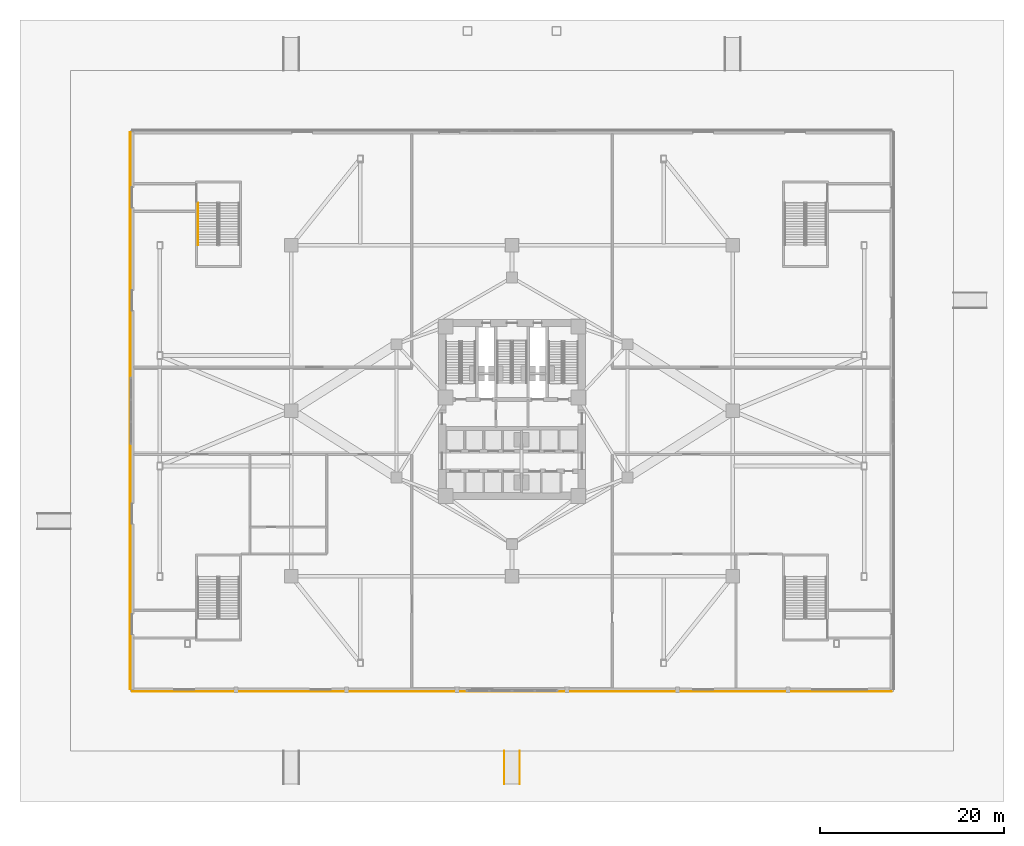
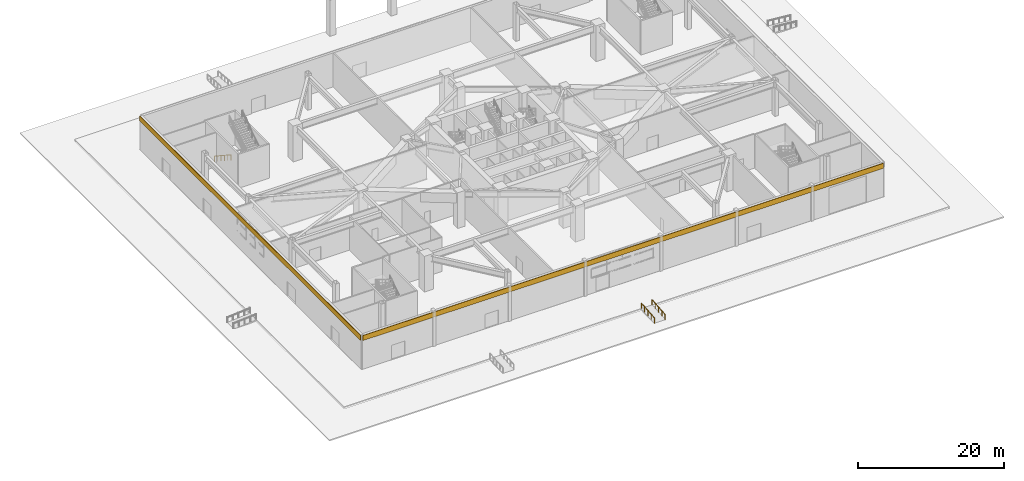
# One storey, part 16 of 24: 3 railings, 2 coverings.
"""IFC4 building model written with IfcOpenShell, lengths in metres."""

from ifc_helpers import new_model, si_unit, direction, frame, origin, origin_2d, place, context, subcontext, project, spatial, polyline, rectangle, outline, extrude, material, layer, layer_set, type_object, element, save


model = new_model("IFC4")

# Units and contexts
model_context = context("Model", 3, precision=1e-05, world=origin(), true_north=direction((0.0, 1.0)))
body_context = subcontext(model_context, "Body", "Model", "MODEL_VIEW")
ifc_project = project(units=[si_unit("LENGTHUNIT", "METRE"), si_unit("AREAUNIT", "SQUARE_METRE"), si_unit("VOLUMEUNIT", "CUBIC_METRE"), si_unit("PLANEANGLEUNIT", "RADIAN"), si_unit("MASSUNIT", "GRAM", prefix="KILO")], contexts=[model_context])

# Site, building, storey
site_placement = place(None, origin())
site = spatial("IfcSite", under=ifc_project, at=site_placement, CompositionType="ELEMENT")
building_placement = place(site_placement, origin())
building = spatial("IfcBuilding", under=site, at=building_placement, Name="Apsidion Concourse Tower", CompositionType="ELEMENT")
storey_placement = place(building_placement, origin())
storey = spatial("IfcBuildingStorey", under=building, at=storey_placement, Name="L00", CompositionType="ELEMENT", Elevation=0.0)

# Coverings
ifc_material_1 = material(Name="Reconstituted limestone facade cladding", Category="masonry")
ifc_layer = layer(ifc_material_1, 0.080078125)
ifc_layer_set = layer_set([ifc_layer], Name="Reconstituted limestone facade cladding")
covering_type = type_object("IfcCoveringType", Name="COV-CLAD-80", PredefinedType="CLADDING", material=ifc_layer_set)
covering_1_placement = place(storey_placement, frame((0.0, 0.0, 4.85009765625)))
element("IfcCovering", 1, at=covering_1_placement, inside=storey, type_object=covering_type, Name="L00 Limestone Spandrel Cladding S", PredefinedType="CLADDING", context=body_context, shape_type="SweptSolid", body=[
    extrude(outline(polyline([(41.300048828125, -30.47998046875), (-41.300048828125, -30.47998046875), (-41.300048828125, -30.56005859375), (41.300048828125, -30.56005859375), (41.300048828125, -30.47998046875)])), origin(), (0.0, 0.0, 1.0), 0.849853515625),
])
covering_2_placement = place(storey_placement, frame((0.0, 0.0, 4.85009765625)))
element("IfcCovering", 2, at=covering_2_placement, inside=storey, type_object=covering_type, Name="L00 Limestone Spandrel Cladding W", PredefinedType="CLADDING", context=body_context, shape_type="SweptSolid", body=[
    extrude(outline(polyline([(-41.47998046875, -30.300048828125), (-41.47998046875, 30.300048828125), (-41.56005859375, 30.300048828125), (-41.56005859375, -30.300048828125), (-41.47998046875, -30.300048828125)])), origin(), (0.0, 0.0, 1.0), 0.849853515625),
])

# Railings
ifc_material_2 = material(Name="Brushed stainless steel 316", Category="steel")
railing_type = type_object("IfcRailingType", Name="RL-HAND-900", PredefinedType="HANDRAIL", material=ifc_material_2)
railing_placement = place(storey_placement, frame((-34.14990234375, 22.60009765625, 0.176513671875)))
element("IfcRailing", 3, at=railing_placement, inside=storey, type_object=railing_type, Name="L00 ST-P3 stair handrail 1", PredefinedType="HANDRAIL", context=body_context, shape_type="SweptSolid", body=[
    extrude(rectangle(XDim=0.048095703125, YDim=0.048095703125, at=origin_2d()), frame((0.0, 0.0, 0.8759765625), z_axis=(0.0, -0.835420324919, 0.549611572578), x_axis=(1.0, 0.0, 0.0)), (0.0, 0.0, 1.0), 5.45849609375),
    extrude(rectangle(XDim=0.0419921875, YDim=0.0419921875, at=origin_2d()), origin(), (0.0, 0.0, 1.0), 0.851806640625),
    extrude(rectangle(XDim=0.0419921875, YDim=0.0419921875, at=origin_2d()), frame((0.0, -0.912109375, 0.60009765625)), (0.0, 0.0, 1.0), 0.851806640625),
    extrude(rectangle(XDim=0.0419921875, YDim=0.0419921875, at=origin_2d()), frame((0.0, -1.823974609375, 1.199951171875)), (0.0, 0.0, 1.0), 0.851806640625),
    extrude(rectangle(XDim=0.0419921875, YDim=0.0419921875, at=origin_2d()), frame((0.0, -2.736083984375, 1.800048828125)), (0.0, 0.0, 1.0), 0.851806640625),
    extrude(rectangle(XDim=0.0419921875, YDim=0.0419921875, at=origin_2d()), frame((0.0, -3.64794921875, 2.39990234375)), (0.0, 0.0, 1.0), 0.851806640625),
    extrude(rectangle(XDim=0.0419921875, YDim=0.0419921875, at=origin_2d()), frame((0.0, -4.56005859375, 3.0)), (0.0, 0.0, 1.0), 0.851806640625),
])
for number, where, name in (
    (4, (0.840087890625, -40.60009765625, -0.300048828125), "Pedestrian South-Central Concourse Accessible Ramp Handrail 1"),
    (5, (-0.840087890625, -40.60009765625, -0.300048828125), "Pedestrian South-Central Concourse Accessible Ramp Handrail 2"),
):
    element("IfcRailing", number, at=place(storey_placement, frame(where)), inside=storey, type_object=railing_type, Name=name, PredefinedType="HANDRAIL", context=body_context, shape_type="SweptSolid", body=[
        extrude(rectangle(XDim=0.048095703125, YDim=0.048095703125, at=origin_2d()), frame((0.0, 0.0, 0.8759765625), z_axis=(0.0, 0.996544826035, 0.083056665618), x_axis=(-1.0, 0.0, 0.0)), (0.0, 0.0, 1.0), 3.612548828125),
        extrude(rectangle(XDim=0.0419921875, YDim=0.0419921875, at=origin_2d()), origin(), (0.0, 0.0, 1.0), 0.851806640625),
        extrude(rectangle(XDim=0.0419921875, YDim=0.0419921875, at=origin_2d()), frame((0.0, 0.89990234375, 0.074951171875)), (0.0, 0.0, 1.0), 0.851806640625),
        extrude(rectangle(XDim=0.0419921875, YDim=0.0419921875, at=origin_2d()), frame((0.0, 1.800048828125, 0.14990234375)), (0.0, 0.0, 1.0), 0.851806640625),
        extrude(rectangle(XDim=0.0419921875, YDim=0.0419921875, at=origin_2d()), frame((0.0, 2.7001953125, 0.22509765625)), (0.0, 0.0, 1.0), 0.851806640625),
        extrude(rectangle(XDim=0.0419921875, YDim=0.0419921875, at=origin_2d()), frame((0.0, 3.60009765625, 0.300048828125)), (0.0, 0.0, 1.0), 0.851806640625),
    ])

save(model, "model.ifc")
